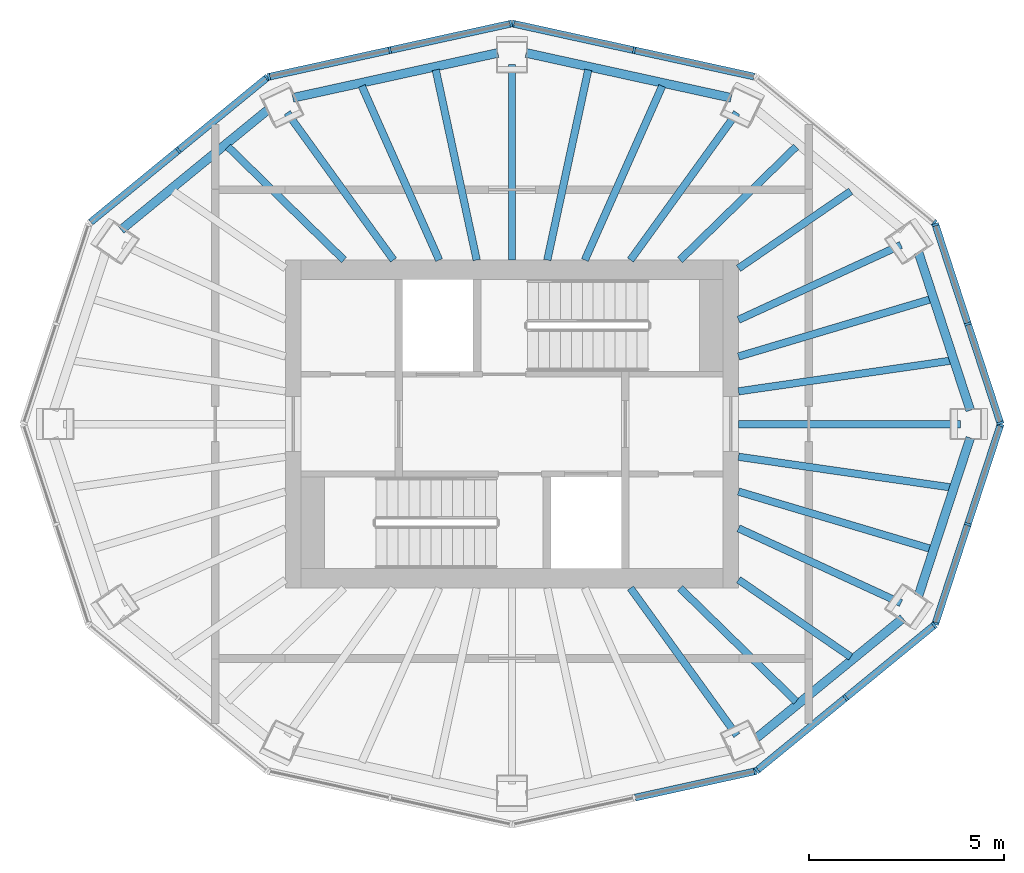
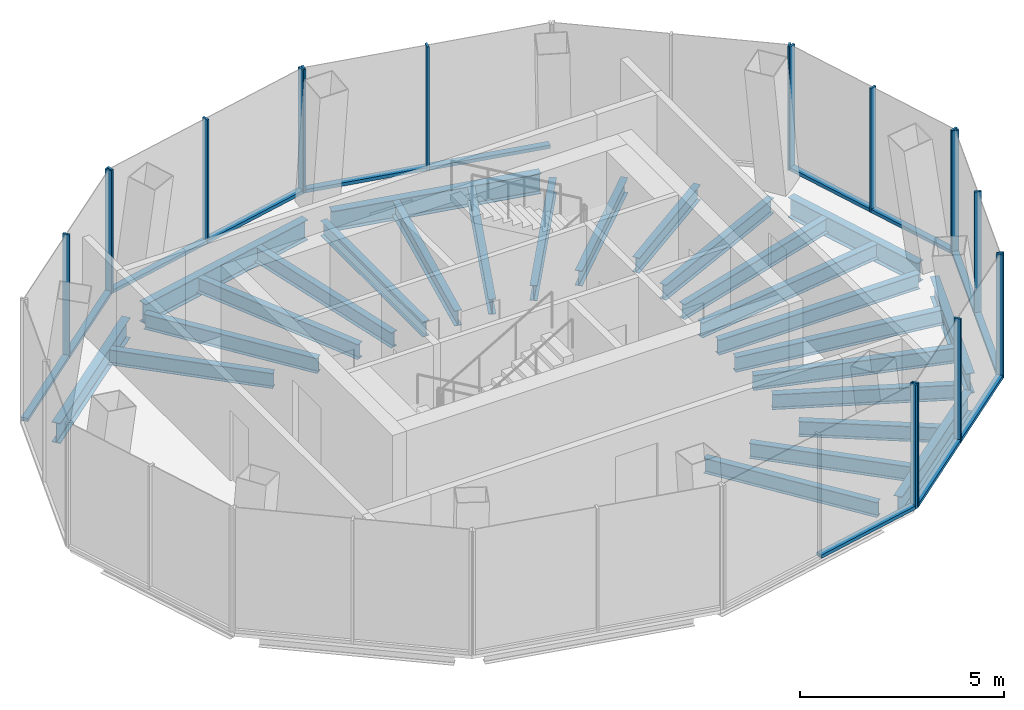
# One storey, part 2 of 5: 31 members, 26 beams, 8 elements without a shape of their own.
"""IFC4 building model written with IfcOpenShell, lengths in metres."""

from ifc_helpers import new_model, si_unit, direction, frame, origin, origin_2d, place, context, subcontext, project, spatial, rectangle, i_section, extrude, material, layer, layer_set, material_profile, profile_set, type_object, element, aggregate, save


model = new_model("IFC4")

# Units and contexts
model_context = context("Model", 3, precision=1e-05, world=origin(), true_north=direction((0.0, 1.0)))
body_context = subcontext(model_context, "Body", "Model", "MODEL_VIEW")
ifc_project = project(units=[si_unit("LENGTHUNIT", "METRE"), si_unit("AREAUNIT", "SQUARE_METRE"), si_unit("VOLUMEUNIT", "CUBIC_METRE"), si_unit("PLANEANGLEUNIT", "RADIAN"), si_unit("MASSUNIT", "GRAM", prefix="KILO")], contexts=[model_context])

# Site, building, storey
site_placement = place(None, origin())
site = spatial("IfcSite", under=ifc_project, at=site_placement, CompositionType="ELEMENT")
building_placement = place(site_placement, origin())
building = spatial("IfcBuilding", under=site, at=building_placement, Name="Siaravel Broadcast Tower", CompositionType="ELEMENT")
storey_placement = place(building_placement, frame((0.0, 0.0, 276.5)))
storey = spatial("IfcBuildingStorey", under=building, at=storey_placement, Name="L67", CompositionType="ELEMENT", Elevation=276.5)

# Curtain wall, members
ifc_material_1 = material(Name="Aluminium 6063-T6", Category="aluminium")
ifc_layer = layer(ifc_material_1, 0.179931640625)
ifc_layer_set = layer_set([ifc_layer], Name="Aluminium 6063-T6")
curtain_wall_type = type_object("IfcCurtainWallType", Name="Crown glass facet wall", PredefinedType="NOTDEFINED", material=ifc_layer_set)
curtain_wall_1_placement = place(storey_placement, origin())
curtain_wall_1 = element("IfcCurtainWall", 1, at=curtain_wall_1_placement, inside=storey, type_object=curtain_wall_type, Name="L67 Crown glass facet wall 01", PredefinedType="NOTDEFINED")
ifc_material_profile_1 = material_profile(ifc_material_1, rectangle(XDim=0.179931640625, YDim=0.06005859375, at=origin_2d()))
ifc_profile_set_1 = profile_set([ifc_material_profile_1], Name="Aluminium 6063-T6")
member_type_1 = type_object("IfcMemberType", Name="CW-CR mullion", PredefinedType="MULLION", material=ifc_profile_set_1)
member_1_placement = place(storey_placement, frame((12.503173828125, 0.028564453125, 0.0), z_axis=(0.0, 0.0, 1.0), x_axis=(-0.950455683, -0.310860089, 0.0)))
member_1 = element("IfcMember", 2, at=member_1_placement, type_object=member_type_1, Name="CW-CR mullion 1", PredefinedType="MULLION", context=body_context, shape_type="SweptSolid", body=[
    extrude(rectangle(XDim=0.179931640625, YDim=0.06005859375, at=origin_2d()), origin(), (0.0, 0.0, 1.0), 3.699951171875),
])
member_2_placement = place(storey_placement, frame((11.673095703125, 2.56640625, 0.0), z_axis=(0.0, 0.0, 1.0), x_axis=(-0.950455683, -0.310860089, 0.0)))
member_2 = element("IfcMember", 3, at=member_2_placement, type_object=member_type_1, Name="CW-CR mullion 2", PredefinedType="MULLION", context=body_context, shape_type="SweptSolid", body=[
    extrude(rectangle(XDim=0.179931640625, YDim=0.06005859375, at=origin_2d()), origin(), (0.0, 0.0, 1.0), 3.699951171875),
])
member_3_placement = place(storey_placement, frame((10.843017578125, 5.1044921875, 0.0), z_axis=(0.0, 0.0, 1.0), x_axis=(-0.950455683, -0.310860089, 0.0)))
member_3 = element("IfcMember", 4, at=member_3_placement, type_object=member_type_1, Name="CW-CR mullion 3", PredefinedType="MULLION", context=body_context, shape_type="SweptSolid", body=[
    extrude(rectangle(XDim=0.179931640625, YDim=0.06005859375, at=origin_2d()), origin(), (0.0, 0.0, 1.0), 3.699951171875),
])

# Curtain wall, member
curtain_wall_2_placement = place(storey_placement, origin())
curtain_wall_2 = element("IfcCurtainWall", 5, at=curtain_wall_2_placement, inside=storey, type_object=curtain_wall_type, Name="L67 Crown glass facet wall 02", PredefinedType="NOTDEFINED")
member_4_placement = place(storey_placement, frame((10.810546875, 5.15185546875, 0.0), z_axis=(0.0, 0.0, 1.0), x_axis=(-0.6337126, -0.773568575, 0.0)))
member_4 = element("IfcMember", 6, at=member_4_placement, type_object=member_type_1, Name="CW-CR mullion 1", PredefinedType="MULLION", context=body_context, shape_type="SweptSolid", body=[
    extrude(rectangle(XDim=0.179931640625, YDim=0.06005859375, at=origin_2d()), origin(), (0.0, 0.0, 1.0), 3.699951171875),
])
aggregate(curtain_wall_2, [member_4])

# Curtain wall, members
curtain_wall_3_placement = place(storey_placement, origin())
curtain_wall_3 = element("IfcCurtainWall", 7, at=curtain_wall_3_placement, inside=storey, type_object=curtain_wall_type, Name="L67 Crown glass facet wall 03", PredefinedType="NOTDEFINED")
member_5_placement = place(storey_placement, frame((3.126220703125, 9.572021484375, 0.0), z_axis=(0.0, 0.0, 1.0), x_axis=(-0.214394106, -0.976747238, 0.0)))
member_5 = element("IfcMember", 8, at=member_5_placement, type_object=member_type_1, Name="CW-CR mullion 2", PredefinedType="MULLION", context=body_context, shape_type="SweptSolid", body=[
    extrude(rectangle(XDim=0.179931640625, YDim=0.06005859375, at=origin_2d()), origin(), (0.0, 0.0, 1.0), 3.699951171875),
])
member_6_placement = place(storey_placement, frame((0.029296875, 10.251708984375, 0.0), z_axis=(0.0, 0.0, 1.0), x_axis=(-0.214394106, -0.976747238, 0.0)))
member_6 = element("IfcMember", 9, at=member_6_placement, type_object=member_type_1, Name="CW-CR mullion 3", PredefinedType="MULLION", context=body_context, shape_type="SweptSolid", body=[
    extrude(rectangle(XDim=0.179931640625, YDim=0.06005859375, at=origin_2d()), origin(), (0.0, 0.0, 1.0), 3.699951171875),
])

curtain_wall_4_placement = place(storey_placement, origin())
curtain_wall_4 = element("IfcCurtainWall", 10, at=curtain_wall_4_placement, inside=storey, type_object=curtain_wall_type, Name="L67 Crown glass facet wall 04", PredefinedType="NOTDEFINED")
member_7_placement = place(storey_placement, frame((-0.029296875, 10.251708984375, 0.0), z_axis=(0.0, 0.0, 1.0), x_axis=(0.214394106, -0.976747238, 0.0)))
member_7 = element("IfcMember", 11, at=member_7_placement, type_object=member_type_1, Name="CW-CR mullion 1", PredefinedType="MULLION", context=body_context, shape_type="SweptSolid", body=[
    extrude(rectangle(XDim=0.179931640625, YDim=0.06005859375, at=origin_2d()), origin(), (0.0, 0.0, 1.0), 3.699951171875),
])
member_8_placement = place(storey_placement, frame((-3.126220703125, 9.572021484375, 0.0), z_axis=(0.0, 0.0, 1.0), x_axis=(0.214394106, -0.976747238, 0.0)))
member_8 = element("IfcMember", 12, at=member_8_placement, type_object=member_type_1, Name="CW-CR mullion 2", PredefinedType="MULLION", context=body_context, shape_type="SweptSolid", body=[
    extrude(rectangle(XDim=0.179931640625, YDim=0.06005859375, at=origin_2d()), origin(), (0.0, 0.0, 1.0), 3.699951171875),
])
member_9_placement = place(storey_placement, frame((-6.223388671875, 8.89208984375, 0.0), z_axis=(0.0, 0.0, 1.0), x_axis=(0.214394106, -0.976747238, 0.0)))
member_9 = element("IfcMember", 13, at=member_9_placement, type_object=member_type_1, Name="CW-CR mullion 3", PredefinedType="MULLION", context=body_context, shape_type="SweptSolid", body=[
    extrude(rectangle(XDim=0.179931640625, YDim=0.06005859375, at=origin_2d()), origin(), (0.0, 0.0, 1.0), 3.699951171875),
])

curtain_wall_5_placement = place(storey_placement, origin())
curtain_wall_5 = element("IfcCurtainWall", 14, at=curtain_wall_5_placement, inside=storey, type_object=curtain_wall_type, Name="L67 Crown glass facet wall 05", PredefinedType="NOTDEFINED")
member_10_placement = place(storey_placement, frame((-6.27587890625, 8.86669921875, 0.0), z_axis=(0.0, 0.0, 1.0), x_axis=(0.6337126, -0.773568575, 0.0)))
member_10 = element("IfcMember", 15, at=member_10_placement, type_object=member_type_1, Name="CW-CR mullion 1", PredefinedType="MULLION", context=body_context, shape_type="SweptSolid", body=[
    extrude(rectangle(XDim=0.179931640625, YDim=0.06005859375, at=origin_2d()), origin(), (0.0, 0.0, 1.0), 3.699951171875),
])
member_11_placement = place(storey_placement, frame((-8.543212890625, 7.00927734375, 0.0), z_axis=(0.0, 0.0, 1.0), x_axis=(0.6337126, -0.773568575, 0.0)))
member_11 = element("IfcMember", 16, at=member_11_placement, type_object=member_type_1, Name="CW-CR mullion 2", PredefinedType="MULLION", context=body_context, shape_type="SweptSolid", body=[
    extrude(rectangle(XDim=0.179931640625, YDim=0.06005859375, at=origin_2d()), origin(), (0.0, 0.0, 1.0), 3.699951171875),
])

# Curtain wall, member
curtain_wall_6_placement = place(storey_placement, origin())
curtain_wall_6 = element("IfcCurtainWall", 17, at=curtain_wall_6_placement, inside=storey, type_object=curtain_wall_type, Name="L67 Crown glass facet wall 10", PredefinedType="NOTDEFINED")
member_12_placement = place(storey_placement, frame((6.223388671875, -8.89208984375, 0.0), z_axis=(0.0, 0.0, 1.0), x_axis=(-0.214394106, 0.976747238, 0.0)))
member_12 = element("IfcMember", 18, at=member_12_placement, type_object=member_type_1, Name="CW-CR mullion 3", PredefinedType="MULLION", context=body_context, shape_type="SweptSolid", body=[
    extrude(rectangle(XDim=0.179931640625, YDim=0.06005859375, at=origin_2d()), origin(), (0.0, 0.0, 1.0), 3.699951171875),
])

# Curtain wall, members
curtain_wall_7_placement = place(storey_placement, origin())
curtain_wall_7 = element("IfcCurtainWall", 19, at=curtain_wall_7_placement, inside=storey, type_object=curtain_wall_type, Name="L67 Crown glass facet wall 11", PredefinedType="NOTDEFINED")
member_13_placement = place(storey_placement, frame((6.27587890625, -8.86669921875, 0.0), z_axis=(0.0, 0.0, 1.0), x_axis=(-0.6337126, 0.773568575, 0.0)))
member_13 = element("IfcMember", 20, at=member_13_placement, type_object=member_type_1, Name="CW-CR mullion 1", PredefinedType="MULLION", context=body_context, shape_type="SweptSolid", body=[
    extrude(rectangle(XDim=0.179931640625, YDim=0.06005859375, at=origin_2d()), origin(), (0.0, 0.0, 1.0), 3.699951171875),
])
member_14_placement = place(storey_placement, frame((8.543212890625, -7.00927734375, 0.0), z_axis=(0.0, 0.0, 1.0), x_axis=(-0.6337126, 0.773568575, 0.0)))
member_14 = element("IfcMember", 21, at=member_14_placement, type_object=member_type_1, Name="CW-CR mullion 2", PredefinedType="MULLION", context=body_context, shape_type="SweptSolid", body=[
    extrude(rectangle(XDim=0.179931640625, YDim=0.06005859375, at=origin_2d()), origin(), (0.0, 0.0, 1.0), 3.699951171875),
])
member_15_placement = place(storey_placement, frame((10.810546875, -5.15185546875, 0.0), z_axis=(0.0, 0.0, 1.0), x_axis=(-0.6337126, 0.773568575, 0.0)))
member_15 = element("IfcMember", 22, at=member_15_placement, type_object=member_type_1, Name="CW-CR mullion 3", PredefinedType="MULLION", context=body_context, shape_type="SweptSolid", body=[
    extrude(rectangle(XDim=0.179931640625, YDim=0.06005859375, at=origin_2d()), origin(), (0.0, 0.0, 1.0), 3.699951171875),
])

curtain_wall_8_placement = place(storey_placement, origin())
curtain_wall_8 = element("IfcCurtainWall", 23, at=curtain_wall_8_placement, inside=storey, type_object=curtain_wall_type, Name="L67 Crown glass facet wall 12", PredefinedType="NOTDEFINED")
member_16_placement = place(storey_placement, frame((10.843017578125, -5.1044921875, 0.0), z_axis=(0.0, 0.0, 1.0), x_axis=(-0.950455683, 0.310860089, 0.0)))
member_16 = element("IfcMember", 24, at=member_16_placement, type_object=member_type_1, Name="CW-CR mullion 1", PredefinedType="MULLION", context=body_context, shape_type="SweptSolid", body=[
    extrude(rectangle(XDim=0.179931640625, YDim=0.06005859375, at=origin_2d()), origin(), (0.0, 0.0, 1.0), 3.699951171875),
])
member_17_placement = place(storey_placement, frame((11.673095703125, -2.56640625, 0.0), z_axis=(0.0, 0.0, 1.0), x_axis=(-0.950455683, 0.310860089, 0.0)))
member_17 = element("IfcMember", 25, at=member_17_placement, type_object=member_type_1, Name="CW-CR mullion 2", PredefinedType="MULLION", context=body_context, shape_type="SweptSolid", body=[
    extrude(rectangle(XDim=0.179931640625, YDim=0.06005859375, at=origin_2d()), origin(), (0.0, 0.0, 1.0), 3.699951171875),
])
member_18_placement = place(storey_placement, frame((12.503173828125, -0.028564453125, 0.0), z_axis=(0.0, 0.0, 1.0), x_axis=(-0.950455683, 0.310860089, 0.0)))
member_18 = element("IfcMember", 26, at=member_18_placement, type_object=member_type_1, Name="CW-CR mullion 3", PredefinedType="MULLION", context=body_context, shape_type="SweptSolid", body=[
    extrude(rectangle(XDim=0.179931640625, YDim=0.06005859375, at=origin_2d()), origin(), (0.0, 0.0, 1.0), 3.699951171875),
])

# Member
ifc_material_profile_2 = material_profile(ifc_material_1, rectangle(XDim=0.179931640625, YDim=0.10009765625, at=origin_2d()))
ifc_profile_set_2 = profile_set([ifc_material_profile_2], Name="Aluminium 6063-T6")
member_type_2 = type_object("IfcMemberType", Name="CW-CR transom", PredefinedType="USERDEFINED", material=ifc_profile_set_2)
member_19_placement = place(storey_placement, frame((12.493896484375, 0.056884765625, 0.050048828125), z_axis=(-0.310891599, 0.950445376, 0.0), x_axis=(-0.950445376, -0.310891599, 0.0)))
member_19 = element("IfcMember", 27, at=member_19_placement, type_object=member_type_2, Name="CW-CR transom 1", ObjectType="TRANSOM", PredefinedType="USERDEFINED", context=body_context, shape_type="SweptSolid", body=[
    extrude(rectangle(XDim=0.179931640625, YDim=0.10009765625, at=origin_2d()), origin(), (0.0, 0.0, 1.0), 2.6103515625),
])

member_20_placement = place(storey_placement, frame((11.663818359375, 2.594970703125, 0.050048828125), z_axis=(-0.310891599, 0.950445376, 0.0), x_axis=(-0.950445376, -0.310891599, 0.0)))
member_20 = element("IfcMember", 28, at=member_20_placement, type_object=member_type_2, Name="CW-CR transom 2", ObjectType="TRANSOM", PredefinedType="USERDEFINED", context=body_context, shape_type="SweptSolid", body=[
    extrude(rectangle(XDim=0.179931640625, YDim=0.10009765625, at=origin_2d()), origin(), (0.0, 0.0, 1.0), 2.6103515625),
])

aggregate(curtain_wall_1, [member_1, member_2, member_3, member_19, member_20])

member_21_placement = place(storey_placement, frame((6.194091796875, 8.898681640625, 0.050048828125), z_axis=(-0.976761577, 0.21432877, 0.0), x_axis=(-0.21432877, -0.976761577, 0.0)))
member_21 = element("IfcMember", 29, at=member_21_placement, type_object=member_type_2, Name="CW-CR transom 1", ObjectType="TRANSOM", PredefinedType="USERDEFINED", context=body_context, shape_type="SweptSolid", body=[
    extrude(rectangle(XDim=0.179931640625, YDim=0.10009765625, at=origin_2d()), origin(), (0.0, 0.0, 1.0), 3.11083984375),
])

member_22_placement = place(storey_placement, frame((3.096923828125, 9.578369140625, 0.050048828125), z_axis=(-0.976741537, 0.214420079, 0.0), x_axis=(-0.214420079, -0.976741537, 0.0)))
member_22 = element("IfcMember", 30, at=member_22_placement, type_object=member_type_2, Name="CW-CR transom 2", ObjectType="TRANSOM", PredefinedType="USERDEFINED", context=body_context, shape_type="SweptSolid", body=[
    extrude(rectangle(XDim=0.179931640625, YDim=0.10009765625, at=origin_2d()), origin(), (0.0, 0.0, 1.0), 3.110595703125),
])

aggregate(curtain_wall_3, [member_5, member_6, member_21, member_22])

member_23_placement = place(storey_placement, frame((-0.05859375, 10.245361328125, 0.050048828125), z_axis=(-0.976741537, -0.214420079, 0.0), x_axis=(0.214420079, -0.976741537, 0.0)))
member_23 = element("IfcMember", 31, at=member_23_placement, type_object=member_type_2, Name="CW-CR transom 1", ObjectType="TRANSOM", PredefinedType="USERDEFINED", context=body_context, shape_type="SweptSolid", body=[
    extrude(rectangle(XDim=0.179931640625, YDim=0.10009765625, at=origin_2d()), origin(), (0.0, 0.0, 1.0), 3.110595703125),
])

member_24_placement = place(storey_placement, frame((-3.155517578125, 9.5654296875, 0.050048828125), z_axis=(-0.976761577, -0.21432877, 0.0), x_axis=(0.21432877, -0.976761577, 0.0)))
member_24 = element("IfcMember", 32, at=member_24_placement, type_object=member_type_2, Name="CW-CR transom 2", ObjectType="TRANSOM", PredefinedType="USERDEFINED", context=body_context, shape_type="SweptSolid", body=[
    extrude(rectangle(XDim=0.179931640625, YDim=0.10009765625, at=origin_2d()), origin(), (0.0, 0.0, 1.0), 3.11083984375),
])

aggregate(curtain_wall_4, [member_7, member_8, member_9, member_23, member_24])

member_25_placement = place(storey_placement, frame((-6.299072265625, 8.84765625, 0.050048828125), z_axis=(-0.773582074, -0.633696121, 0.0), x_axis=(0.633696121, -0.773582074, 0.0)))
member_25 = element("IfcMember", 33, at=member_25_placement, type_object=member_type_2, Name="CW-CR transom 1", ObjectType="TRANSOM", PredefinedType="USERDEFINED", context=body_context, shape_type="SweptSolid", body=[
    extrude(rectangle(XDim=0.179931640625, YDim=0.10009765625, at=origin_2d()), origin(), (0.0, 0.0, 1.0), 2.87109375),
])

member_26_placement = place(storey_placement, frame((-8.56640625, 6.990234375, 0.050048828125), z_axis=(-0.773582074, -0.633696121, 0.0), x_axis=(0.633696121, -0.773582074, 0.0)))
member_26 = element("IfcMember", 34, at=member_26_placement, type_object=member_type_2, Name="CW-CR transom 2", ObjectType="TRANSOM", PredefinedType="USERDEFINED", context=body_context, shape_type="SweptSolid", body=[
    extrude(rectangle(XDim=0.179931640625, YDim=0.10009765625, at=origin_2d()), origin(), (0.0, 0.0, 1.0), 2.87109375),
])

aggregate(curtain_wall_5, [member_10, member_11, member_25, member_26])

member_27_placement = place(storey_placement, frame((3.155517578125, -9.5654296875, 0.050048828125), z_axis=(0.976761577, 0.21432877, 0.0), x_axis=(-0.21432877, 0.976761577, 0.0)))
member_27 = element("IfcMember", 35, at=member_27_placement, type_object=member_type_2, Name="CW-CR transom 2", ObjectType="TRANSOM", PredefinedType="USERDEFINED", context=body_context, shape_type="SweptSolid", body=[
    extrude(rectangle(XDim=0.179931640625, YDim=0.10009765625, at=origin_2d()), origin(), (0.0, 0.0, 1.0), 3.11083984375),
])

aggregate(curtain_wall_6, [member_12, member_27])

member_28_placement = place(storey_placement, frame((6.299072265625, -8.84765625, 0.050048828125), z_axis=(0.773582074, 0.633696121, 0.0), x_axis=(-0.633696121, 0.773582074, 0.0)))
member_28 = element("IfcMember", 36, at=member_28_placement, type_object=member_type_2, Name="CW-CR transom 1", ObjectType="TRANSOM", PredefinedType="USERDEFINED", context=body_context, shape_type="SweptSolid", body=[
    extrude(rectangle(XDim=0.179931640625, YDim=0.10009765625, at=origin_2d()), origin(), (0.0, 0.0, 1.0), 2.87109375),
])

member_29_placement = place(storey_placement, frame((8.56640625, -6.990234375, 0.050048828125), z_axis=(0.773582074, 0.633696121, 0.0), x_axis=(-0.633696121, 0.773582074, 0.0)))
member_29 = element("IfcMember", 37, at=member_29_placement, type_object=member_type_2, Name="CW-CR transom 2", ObjectType="TRANSOM", PredefinedType="USERDEFINED", context=body_context, shape_type="SweptSolid", body=[
    extrude(rectangle(XDim=0.179931640625, YDim=0.10009765625, at=origin_2d()), origin(), (0.0, 0.0, 1.0), 2.87109375),
])

aggregate(curtain_wall_7, [member_13, member_14, member_15, member_28, member_29])

member_30_placement = place(storey_placement, frame((10.852294921875, -5.075927734375, 0.050048828125), z_axis=(0.310891599, 0.950445376, 0.0), x_axis=(-0.950445376, 0.310891599, 0.0)))
member_30 = element("IfcMember", 38, at=member_30_placement, type_object=member_type_2, Name="CW-CR transom 1", ObjectType="TRANSOM", PredefinedType="USERDEFINED", context=body_context, shape_type="SweptSolid", body=[
    extrude(rectangle(XDim=0.179931640625, YDim=0.10009765625, at=origin_2d()), origin(), (0.0, 0.0, 1.0), 2.6103515625),
])

member_31_placement = place(storey_placement, frame((11.682373046875, -2.537841796875, 0.050048828125), z_axis=(0.310891599, 0.950445376, 0.0), x_axis=(-0.950445376, 0.310891599, 0.0)))
member_31 = element("IfcMember", 39, at=member_31_placement, type_object=member_type_2, Name="CW-CR transom 2", ObjectType="TRANSOM", PredefinedType="USERDEFINED", context=body_context, shape_type="SweptSolid", body=[
    extrude(rectangle(XDim=0.179931640625, YDim=0.10009765625, at=origin_2d()), origin(), (0.0, 0.0, 1.0), 2.6103515625),
])

aggregate(curtain_wall_8, [member_16, member_17, member_18, member_30, member_31])

# Beams
ifc_material_2 = material(Name="Steel S355", Category="steel")
ifc_material_profile_3 = material_profile(ifc_material_2, i_section(OverallWidth=0.18994140625, OverallDepth=0.453369140625, WebThickness=0.008544921875, FlangeThickness=0.0126953125, FilletRadius=0.01025390625, at=origin_2d()))
ifc_profile_set_3 = profile_set([ifc_material_profile_3], Name="Steel S355")
beam_type_1 = type_object("IfcBeamType", Name="Crown radial beam UB 457x191x67", PredefinedType="BEAM", material=ifc_profile_set_3)
beam_1_placement = place(storey_placement, frame((11.479736328125, 0.0, -0.4267578125), z_axis=(-1.0, 0.0, 0.0), x_axis=(0.0, -1.0, 0.0)))
element("IfcBeam", 40, at=beam_1_placement, inside=storey, type_object=beam_type_1, Name="Crown radial beam 2-01", PredefinedType="BEAM", context=body_context, shape_type="SweptSolid", body=[
    extrude(i_section(OverallWidth=0.18994140625, OverallDepth=0.453369140625, WebThickness=0.008544921875, FlangeThickness=0.0126953125, FilletRadius=0.01025390625, at=origin_2d()), origin(), (0.0, 0.0, 1.0), 5.6796875),
])
beam_2_placement = place(storey_placement, frame((11.23095703125, 1.6220703125, -0.4267578125), z_axis=(-0.989729406, -0.142953499, 0.0), x_axis=(0.142953499, -0.989729406, 0.0)))
element("IfcBeam", 41, at=beam_2_placement, inside=storey, type_object=beam_type_1, Name="Crown radial beam 2-02", PredefinedType="BEAM", context=body_context, shape_type="SweptSolid", body=[
    extrude(i_section(OverallWidth=0.18994140625, OverallDepth=0.453369140625, WebThickness=0.008544921875, FlangeThickness=0.0126953125, FilletRadius=0.01025390625, at=origin_2d()), origin(), (0.0, 0.0, 1.0), 5.4873046875),
])
beam_3_placement = place(storey_placement, frame((10.714111328125, 3.194091796875, -0.4267578125), z_axis=(-0.958328015, -0.285670116, 0.0), x_axis=(0.285670116, -0.958328015, 0.0)))
element("IfcBeam", 42, at=beam_3_placement, inside=storey, type_object=beam_type_1, Name="Crown radial beam 2-03", PredefinedType="BEAM", context=body_context, shape_type="SweptSolid", body=[
    extrude(i_section(OverallWidth=0.18994140625, OverallDepth=0.453369140625, WebThickness=0.008544921875, FlangeThickness=0.0126953125, FilletRadius=0.01025390625, at=origin_2d()), origin(), (0.0, 0.0, 1.0), 5.127685546875),
])
beam_4_placement = place(storey_placement, frame((9.95947265625, 4.584228515625, -0.4267578125), z_axis=(-0.908389615, -0.41812475, 0.0), x_axis=(0.41812475, -0.908389615, 0.0)))
element("IfcBeam", 43, at=beam_4_placement, inside=storey, type_object=beam_type_1, Name="Crown radial beam 2-04", PredefinedType="BEAM", context=body_context, shape_type="SweptSolid", body=[
    extrude(i_section(OverallWidth=0.18994140625, OverallDepth=0.453369140625, WebThickness=0.008544921875, FlangeThickness=0.0126953125, FilletRadius=0.01025390625, at=origin_2d()), origin(), (0.0, 0.0, 1.0), 4.578857421875),
])
beam_5_placement = place(storey_placement, frame((8.673583984375, 5.96142578125, -0.4267578125), z_axis=(-0.824135892, -0.566392118, 0.0), x_axis=(0.566392118, -0.824135892, 0.0)))
element("IfcBeam", 44, at=beam_5_placement, inside=storey, type_object=beam_type_1, Name="Crown radial beam 2-05", PredefinedType="BEAM", context=body_context, shape_type="SweptSolid", body=[
    extrude(i_section(OverallWidth=0.18994140625, OverallDepth=0.453369140625, WebThickness=0.008544921875, FlangeThickness=0.0126953125, FilletRadius=0.01025390625, at=origin_2d()), origin(), (0.0, 0.0, 1.0), 3.48681640625),
])
beam_6_placement = place(storey_placement, frame((7.27490234375, 7.1015625, -0.4267578125), z_axis=(-0.715577703, -0.698533142, 0.0), x_axis=(0.698533142, -0.715577703, 0.0)))
element("IfcBeam", 45, at=beam_6_placement, inside=storey, type_object=beam_type_1, Name="Crown radial beam 2-06", PredefinedType="BEAM", context=body_context, shape_type="SweptSolid", body=[
    extrude(i_section(OverallWidth=0.18994140625, OverallDepth=0.453369140625, WebThickness=0.008544921875, FlangeThickness=0.0126953125, FilletRadius=0.01025390625, at=origin_2d()), origin(), (0.0, 0.0, 1.0), 4.15380859375),
])
beam_7_placement = place(storey_placement, frame((5.7578125, 7.972412109375, -0.4267578125), z_axis=(-0.585498216, -0.810673695, 0.0), x_axis=(0.810673695, -0.585498216, 0.0)))
element("IfcBeam", 46, at=beam_7_placement, inside=storey, type_object=beam_type_1, Name="Crown radial beam 2-07", PredefinedType="BEAM", context=body_context, shape_type="SweptSolid", body=[
    extrude(i_section(OverallWidth=0.18994140625, OverallDepth=0.453369140625, WebThickness=0.008544921875, FlangeThickness=0.0126953125, FilletRadius=0.01025390625, at=origin_2d()), origin(), (0.0, 0.0, 1.0), 4.653564453125),
])
beam_8_placement = place(storey_placement, frame((3.845703125, 8.655029296875, -0.4267578125), z_axis=(-0.406045533, -0.913852847, 0.0), x_axis=(0.913852847, -0.406045533, 0.0)))
element("IfcBeam", 47, at=beam_8_placement, inside=storey, type_object=beam_type_1, Name="Crown radial beam 2-08", PredefinedType="BEAM", context=body_context, shape_type="SweptSolid", body=[
    extrude(i_section(OverallWidth=0.18994140625, OverallDepth=0.453369140625, WebThickness=0.008544921875, FlangeThickness=0.0126953125, FilletRadius=0.01025390625, at=origin_2d()), origin(), (0.0, 0.0, 1.0), 4.875),
])
beam_9_placement = place(storey_placement, frame((1.9521484375, 9.068603515625, -0.4267578125), z_axis=(-0.210453007, -0.977603975, 0.0), x_axis=(0.977603975, -0.210453007, 0.0)))
element("IfcBeam", 48, at=beam_9_placement, inside=storey, type_object=beam_type_1, Name="Crown radial beam 2-09", PredefinedType="BEAM", context=body_context, shape_type="SweptSolid", body=[
    extrude(i_section(OverallWidth=0.18994140625, OverallDepth=0.453369140625, WebThickness=0.008544921875, FlangeThickness=0.0126953125, FilletRadius=0.01025390625, at=origin_2d()), origin(), (0.0, 0.0, 1.0), 4.980224609375),
])
beam_10_placement = place(storey_placement, frame((0.0, 9.21240234375, -0.4267578125), z_axis=(0.0, -1.0, 0.0), x_axis=(1.0, 0.0, 0.0)))
element("IfcBeam", 49, at=beam_10_placement, inside=storey, type_object=beam_type_1, Name="Crown radial beam 2-10", PredefinedType="BEAM", context=body_context, shape_type="SweptSolid", body=[
    extrude(i_section(OverallWidth=0.18994140625, OverallDepth=0.453369140625, WebThickness=0.008544921875, FlangeThickness=0.0126953125, FilletRadius=0.01025390625, at=origin_2d()), origin(), (0.0, 0.0, 1.0), 5.012451171875),
])
beam_11_placement = place(storey_placement, frame((-1.9521484375, 9.068603515625, -0.4267578125), z_axis=(0.210453007, -0.977603975, 0.0), x_axis=(0.977603975, 0.210453007, 0.0)))
element("IfcBeam", 50, at=beam_11_placement, inside=storey, type_object=beam_type_1, Name="Crown radial beam 2-11", PredefinedType="BEAM", context=body_context, shape_type="SweptSolid", body=[
    extrude(i_section(OverallWidth=0.18994140625, OverallDepth=0.453369140625, WebThickness=0.008544921875, FlangeThickness=0.0126953125, FilletRadius=0.01025390625, at=origin_2d()), origin(), (0.0, 0.0, 1.0), 4.980224609375),
])
beam_12_placement = place(storey_placement, frame((-3.845703125, 8.655029296875, -0.4267578125), z_axis=(0.406045533, -0.913852847, 0.0), x_axis=(0.913852847, 0.406045533, 0.0)))
element("IfcBeam", 51, at=beam_12_placement, inside=storey, type_object=beam_type_1, Name="Crown radial beam 2-12", PredefinedType="BEAM", context=body_context, shape_type="SweptSolid", body=[
    extrude(i_section(OverallWidth=0.18994140625, OverallDepth=0.453369140625, WebThickness=0.008544921875, FlangeThickness=0.0126953125, FilletRadius=0.01025390625, at=origin_2d()), origin(), (0.0, 0.0, 1.0), 4.875),
])
beam_13_placement = place(storey_placement, frame((-5.7578125, 7.972412109375, -0.4267578125), z_axis=(0.585498216, -0.810673695, 0.0), x_axis=(0.810673695, 0.585498216, 0.0)))
element("IfcBeam", 52, at=beam_13_placement, inside=storey, type_object=beam_type_1, Name="Crown radial beam 2-13", PredefinedType="BEAM", context=body_context, shape_type="SweptSolid", body=[
    extrude(i_section(OverallWidth=0.18994140625, OverallDepth=0.453369140625, WebThickness=0.008544921875, FlangeThickness=0.0126953125, FilletRadius=0.01025390625, at=origin_2d()), origin(), (0.0, 0.0, 1.0), 4.653564453125),
])
beam_14_placement = place(storey_placement, frame((-7.27490234375, 7.1015625, -0.4267578125), z_axis=(0.715577703, -0.698533142, 0.0), x_axis=(0.698533142, 0.715577703, 0.0)))
element("IfcBeam", 53, at=beam_14_placement, inside=storey, type_object=beam_type_1, Name="Crown radial beam 2-14", PredefinedType="BEAM", context=body_context, shape_type="SweptSolid", body=[
    extrude(i_section(OverallWidth=0.18994140625, OverallDepth=0.453369140625, WebThickness=0.008544921875, FlangeThickness=0.0126953125, FilletRadius=0.01025390625, at=origin_2d()), origin(), (0.0, 0.0, 1.0), 4.15380859375),
])
beam_15_placement = place(storey_placement, frame((5.7578125, -7.972412109375, -0.4267578125), z_axis=(-0.585498216, 0.810673695, 0.0), x_axis=(-0.810673695, -0.585498216, 0.0)))
element("IfcBeam", 54, at=beam_15_placement, inside=storey, type_object=beam_type_1, Name="Crown radial beam 2-31", PredefinedType="BEAM", context=body_context, shape_type="SweptSolid", body=[
    extrude(i_section(OverallWidth=0.18994140625, OverallDepth=0.453369140625, WebThickness=0.008544921875, FlangeThickness=0.0126953125, FilletRadius=0.01025390625, at=origin_2d()), origin(), (0.0, 0.0, 1.0), 4.653564453125),
])
beam_16_placement = place(storey_placement, frame((7.27490234375, -7.1015625, -0.4267578125), z_axis=(-0.715577703, 0.698533142, 0.0), x_axis=(-0.698533142, -0.715577703, 0.0)))
element("IfcBeam", 55, at=beam_16_placement, inside=storey, type_object=beam_type_1, Name="Crown radial beam 2-32", PredefinedType="BEAM", context=body_context, shape_type="SweptSolid", body=[
    extrude(i_section(OverallWidth=0.18994140625, OverallDepth=0.453369140625, WebThickness=0.008544921875, FlangeThickness=0.0126953125, FilletRadius=0.01025390625, at=origin_2d()), origin(), (0.0, 0.0, 1.0), 4.15380859375),
])
beam_17_placement = place(storey_placement, frame((8.673583984375, -5.96142578125, -0.4267578125), z_axis=(-0.824135892, 0.566392118, 0.0), x_axis=(-0.566392118, -0.824135892, 0.0)))
element("IfcBeam", 56, at=beam_17_placement, inside=storey, type_object=beam_type_1, Name="Crown radial beam 2-33", PredefinedType="BEAM", context=body_context, shape_type="SweptSolid", body=[
    extrude(i_section(OverallWidth=0.18994140625, OverallDepth=0.453369140625, WebThickness=0.008544921875, FlangeThickness=0.0126953125, FilletRadius=0.01025390625, at=origin_2d()), origin(), (0.0, 0.0, 1.0), 3.48681640625),
])
beam_18_placement = place(storey_placement, frame((9.95947265625, -4.584228515625, -0.4267578125), z_axis=(-0.908389615, 0.41812475, 0.0), x_axis=(-0.41812475, -0.908389615, 0.0)))
element("IfcBeam", 57, at=beam_18_placement, inside=storey, type_object=beam_type_1, Name="Crown radial beam 2-34", PredefinedType="BEAM", context=body_context, shape_type="SweptSolid", body=[
    extrude(i_section(OverallWidth=0.18994140625, OverallDepth=0.453369140625, WebThickness=0.008544921875, FlangeThickness=0.0126953125, FilletRadius=0.01025390625, at=origin_2d()), origin(), (0.0, 0.0, 1.0), 4.578857421875),
])
beam_19_placement = place(storey_placement, frame((10.714111328125, -3.194091796875, -0.4267578125), z_axis=(-0.958328015, 0.285670116, 0.0), x_axis=(-0.285670116, -0.958328015, 0.0)))
element("IfcBeam", 58, at=beam_19_placement, inside=storey, type_object=beam_type_1, Name="Crown radial beam 2-35", PredefinedType="BEAM", context=body_context, shape_type="SweptSolid", body=[
    extrude(i_section(OverallWidth=0.18994140625, OverallDepth=0.453369140625, WebThickness=0.008544921875, FlangeThickness=0.0126953125, FilletRadius=0.01025390625, at=origin_2d()), origin(), (0.0, 0.0, 1.0), 5.127685546875),
])
beam_20_placement = place(storey_placement, frame((11.23095703125, -1.6220703125, -0.4267578125), z_axis=(-0.989729406, 0.142953499, 0.0), x_axis=(-0.142953499, -0.989729406, 0.0)))
element("IfcBeam", 59, at=beam_20_placement, inside=storey, type_object=beam_type_1, Name="Crown radial beam 2-36", PredefinedType="BEAM", context=body_context, shape_type="SweptSolid", body=[
    extrude(i_section(OverallWidth=0.18994140625, OverallDepth=0.453369140625, WebThickness=0.008544921875, FlangeThickness=0.0126953125, FilletRadius=0.01025390625, at=origin_2d()), origin(), (0.0, 0.0, 1.0), 5.4873046875),
])
ifc_material_profile_4 = material_profile(ifc_material_2, i_section(OverallWidth=0.2275390625, OverallDepth=0.6025390625, WebThickness=0.010498046875, FlangeThickness=0.014892578125, FilletRadius=0.0126953125, at=origin_2d()))
ifc_profile_set_4 = profile_set([ifc_material_profile_4], Name="Steel S355")
beam_type_2 = type_object("IfcBeamType", Name="Crown ring beam UB 610x229x101", PredefinedType="SPANDREL", material=ifc_profile_set_4)
beam_21_placement = place(storey_placement, frame((11.734619140625, 0.3515625, -0.501220703125), z_axis=(-0.311654468, 0.950195502, 0.0), x_axis=(-0.950195502, -0.311654468, 0.0)))
element("IfcBeam", 60, at=beam_21_placement, inside=storey, type_object=beam_type_2, Name="Crown ring beam 2-01", PredefinedType="SPANDREL", context=body_context, shape_type="SweptSolid", body=[
    extrude(i_section(OverallWidth=0.2275390625, OverallDepth=0.6025390625, WebThickness=0.010498046875, FlangeThickness=0.014892578125, FilletRadius=0.0126953125, at=origin_2d()), origin(), (0.0, 0.0, 1.0), 4.247314453125),
])
for number, where, z_axis, x_axis, name in (
    (61, (5.613037109375, 8.351806640625, -0.501220703125), (-0.97681017, 0.214107199, 0.0), (-0.214107199, -0.97681017, 0.0), "Crown ring beam 2-03"),
    (62, (-0.361328125, 9.5029296875, -0.501220703125), (-0.97681017, -0.214107199, 0.0), (0.214107199, -0.97681017, 0.0), "Crown ring beam 2-04"),
):
    element("IfcBeam", number, at=place(storey_placement, frame(where, z_axis=z_axis, x_axis=x_axis)), inside=storey, type_object=beam_type_2, Name=name, PredefinedType="SPANDREL", context=body_context, shape_type="SweptSolid", body=[
        extrude(i_section(OverallWidth=0.2275390625, OverallDepth=0.6025390625, WebThickness=0.010498046875, FlangeThickness=0.014892578125, FilletRadius=0.0126953125, at=origin_2d()), origin(), (0.0, 0.0, 1.0), 5.37646484375),
    ])
for number, where, z_axis, x_axis, name in (
    (63, (-6.260986328125, 8.0380859375, -0.501220703125), (-0.774123525, -0.633034571, 0.0), (0.633034571, -0.774123525, 0.0), "Crown ring beam 2-05"),
    (64, (6.260986328125, -8.0380859375, -0.501220703125), (0.774123525, 0.633034571, 0.0), (-0.633034571, 0.774123525, 0.0), "Crown ring beam 2-11"),
):
    element("IfcBeam", number, at=place(storey_placement, frame(where, z_axis=z_axis, x_axis=x_axis)), inside=storey, type_object=beam_type_2, Name=name, PredefinedType="SPANDREL", context=body_context, shape_type="SweptSolid", body=[
        extrude(i_section(OverallWidth=0.2275390625, OverallDepth=0.6025390625, WebThickness=0.010498046875, FlangeThickness=0.014892578125, FilletRadius=0.0126953125, at=origin_2d()), origin(), (0.0, 0.0, 1.0), 4.841552734375),
    ])
beam_22_placement = place(storey_placement, frame((10.410888671875, -4.387451171875, -0.501220703125), z_axis=(0.311654468, 0.950195502, 0.0), x_axis=(-0.950195502, 0.311654468, 0.0)))
element("IfcBeam", 65, at=beam_22_placement, inside=storey, type_object=beam_type_2, Name="Crown ring beam 2-12", PredefinedType="SPANDREL", context=body_context, shape_type="SweptSolid", body=[
    extrude(i_section(OverallWidth=0.2275390625, OverallDepth=0.6025390625, WebThickness=0.010498046875, FlangeThickness=0.014892578125, FilletRadius=0.0126953125, at=origin_2d()), origin(), (0.0, 0.0, 1.0), 4.247314453125),
])

save(model, "model.ifc")
